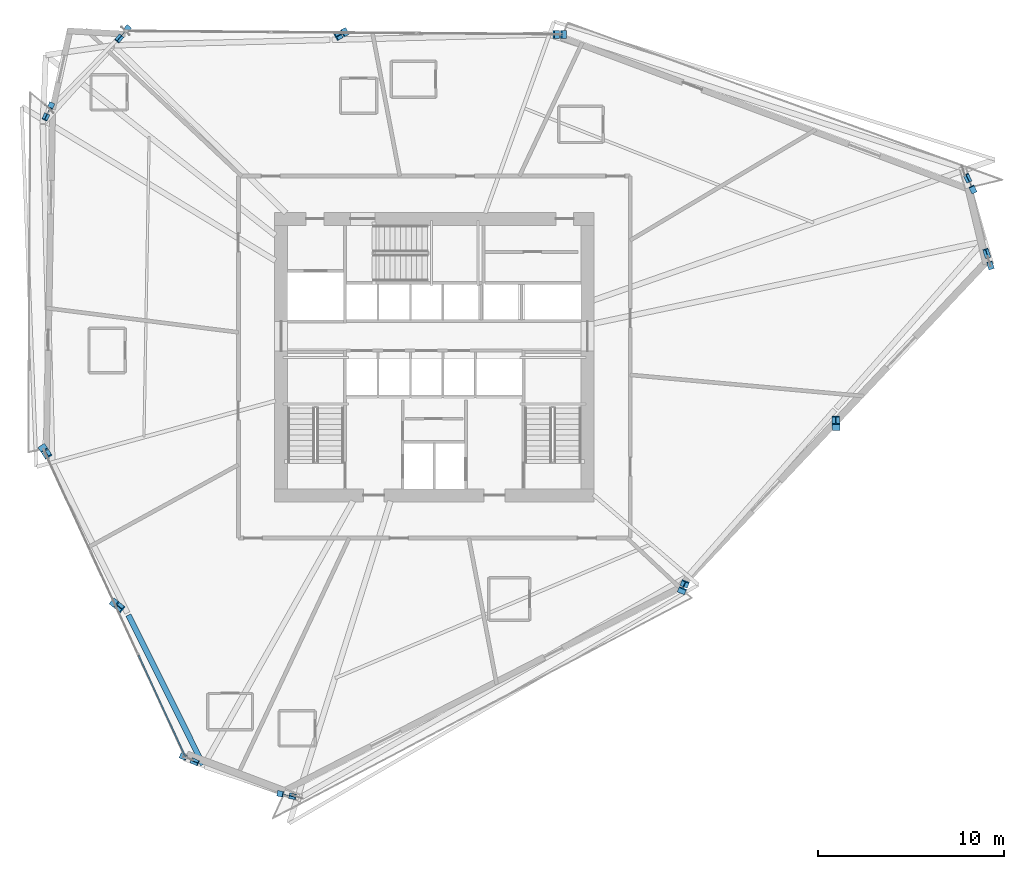
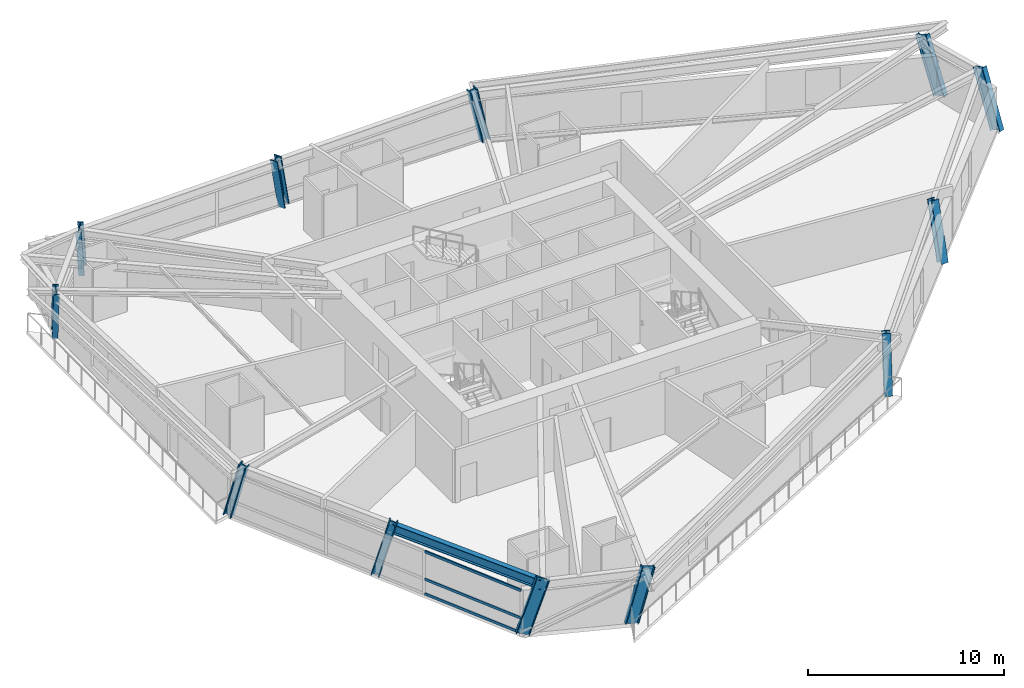
# One storey, part 1 of 22: 12 columns, 3 members, 1 beam, 1 element without a shape of its own.
"""IFC4 building model written with IfcOpenShell, lengths in metres."""

import ifcopenshell
import ifcopenshell.guid

model = None  # the IFC model being written
_history = None  # IfcOwnerHistory: only IFC2X3 demands one
_inside = {}  # id of a spatial element -> (the spatial element, [elements in it])
_under = {}  # id of a project, library or spatial element -> (it, [spatial elements below it])
_declared = {}  # id of a project -> (the project, [libraries it declares])
_typed = {}  # id of a type object -> (the type object, [elements of that type])
_made_of = {}  # id of a material, layer set ... -> (it, [elements and type objects made of it])


def new_model(schema):
    """Start an empty IFC model of exactly this schema.

    Asked for "IFC4X3", IfcOpenShell would pick the latest addendum, in which some entities
    have other attributes; the version numbers below select the first issue.
    IFC2X3 requires an IfcOwnerHistory on every rooted entity: one is made here for all.
    """
    global model, _history
    if schema == "IFC4X3":
        model = ifcopenshell.file(schema_version=(4, 3, 0, 0))
    else:
        model = ifcopenshell.file(schema=schema)
    _inside.clear()
    _under.clear()
    _declared.clear()
    _typed.clear()
    _made_of.clear()
    _history = None
    if model.schema == "IFC2X3":
        org = make("IfcOrganization", Name="unknown")
        user = make(
            "IfcPersonAndOrganization",
            ThePerson=make("IfcPerson", FamilyName="unknown"),
            TheOrganization=org,
        )
        app = make(
            "IfcApplication",
            ApplicationDeveloper=org,
            Version="unknown",
            ApplicationFullName="unknown",
            ApplicationIdentifier="unknown",
        )
        _history = make(
            "IfcOwnerHistory",
            OwningUser=user,
            OwningApplication=app,
            ChangeAction="ADDED",
            CreationDate=0,
        )
    return model


def make(cls, **values):
    """One entity of the class cls with the attributes given. An attribute that is None is left unset."""
    return model.create_entity(
        cls, **{name: value for name, value in values.items() if value is not None}
    )


def rooted(cls, **values):
    """An entity with a GlobalId (a new one), such as an element, a storey or a relation."""
    return make(cls, GlobalId=ifcopenshell.guid.new(), OwnerHistory=_history, **values)


def si_unit(unit_type, name, prefix=None):
    """IfcSIUnit, for example si_unit("LENGTHUNIT", "METRE", prefix="MILLI")."""
    return make("IfcSIUnit", UnitType=unit_type, Prefix=prefix, Name=name)


def assignment(units):
    """IfcUnitAssignment: the units of a project."""
    return None if units is None else make("IfcUnitAssignment", Units=units)


def point(xyz):
    """IfcCartesianPoint."""
    return None if xyz is None else make("IfcCartesianPoint", Coordinates=xyz)


def direction(xyz):
    """IfcDirection."""
    return None if xyz is None else make("IfcDirection", DirectionRatios=xyz)


def frame(location, z_axis=None, x_axis=None):
    """IfcAxis2Placement3D, a coordinate frame: its origin and axes. An axis left out is left unset."""
    return make(
        "IfcAxis2Placement3D",
        Location=point(location),
        Axis=direction(z_axis),
        RefDirection=direction(x_axis),
    )


def frame_2d(location, x_axis=None):
    """IfcAxis2Placement2D, a coordinate frame in the plane: its origin and x axis."""
    return make(
        "IfcAxis2Placement2D", Location=point(location), RefDirection=direction(x_axis)
    )


def origin():
    """The frame at (0, 0, 0) with its axes left unset."""
    return frame((0.0, 0.0, 0.0))


def origin_2d():
    """The frame at (0, 0) in the plane with its x axis left unset."""
    return frame_2d((0.0, 0.0))


def place(relative_to, where):
    """IfcLocalPlacement: puts the frame where relative to a parent placement (None: the world)."""
    return make(
        "IfcLocalPlacement", PlacementRelTo=relative_to, RelativePlacement=where
    )


def context(
    kind, dimensions, precision=None, world=None, true_north=None, identifier=None
):
    """IfcGeometricRepresentationContext, for example the 3D "Model" context."""
    return make(
        "IfcGeometricRepresentationContext",
        ContextIdentifier=identifier,
        ContextType=kind,
        CoordinateSpaceDimension=dimensions,
        Precision=precision,
        WorldCoordinateSystem=world,
        TrueNorth=true_north,
    )


def subcontext(parent, identifier, kind, view, scale=None):
    """IfcGeometricRepresentationSubContext, for example "Body" below "Model"."""
    return make(
        "IfcGeometricRepresentationSubContext",
        ContextIdentifier=identifier,
        ContextType=kind,
        ParentContext=parent,
        TargetScale=scale,
        TargetView=view,
    )


def project(units=None, contexts=None):
    """IfcProject with its units and contexts."""
    return rooted(
        "IfcProject",
        Name="project",
        RepresentationContexts=contexts,
        UnitsInContext=assignment(units),
    )


def spatial(cls, under=None, at=None, **own):
    """A site, building, storey or space (cls), placed at a placement, below another one or the project."""
    s = rooted(cls, ObjectPlacement=at, **own)
    if under is not None:
        _under.setdefault(under.id(), (under, []))[1].append(s)
    return s


def profile(cls, at=None, kind="AREA", **sizes):
    """A parametric profile (cls). Its sizes go by their IFC names, for example OverallWidth=200.0."""
    return make(cls, ProfileType=kind, Position=at, **sizes)


def hollow_rectangle(**sizes):
    """IfcRectangleHollowProfileDef."""
    return profile("IfcRectangleHollowProfileDef", **sizes)


def i_section(**sizes):
    """IfcIShapeProfileDef."""
    return profile("IfcIShapeProfileDef", **sizes)


def extrude(swept, where, along, depth):
    """IfcExtrudedAreaSolid: the profile swept, set in the frame where, extruded along a direction by depth."""
    return make(
        "IfcExtrudedAreaSolid",
        SweptArea=swept,
        Position=where,
        ExtrudedDirection=direction(along),
        Depth=depth,
    )


def shape(context_of_items, identifier, shape_type, items):
    """IfcShapeRepresentation: the items that make up one representation, for example the "Body"."""
    return make(
        "IfcShapeRepresentation",
        ContextOfItems=context_of_items,
        RepresentationIdentifier=identifier,
        RepresentationType=shape_type,
        Items=items,
    )


def source(mapping_origin, context_of_items, identifier, shape_type, items):
    """IfcRepresentationMap: a shape defined once, which mapped items show again and again."""
    return make(
        "IfcRepresentationMap",
        MappingOrigin=mapping_origin,
        MappedRepresentation=shape(context_of_items, identifier, shape_type, items),
    )


def transform(
    local_origin,
    x_axis=None,
    y_axis=None,
    z_axis=None,
    scale=None,
    scale2=None,
    scale3=None,
    uniform=True,
):
    """IfcCartesianTransformationOperator3D, or its non-uniform kind. x_axis, y_axis, z_axis: its Axis1, 2, 3."""
    if uniform:
        return make(
            "IfcCartesianTransformationOperator3D",
            Axis1=direction(x_axis),
            Axis2=direction(y_axis),
            LocalOrigin=point(local_origin),
            Scale=scale,
            Axis3=direction(z_axis),
        )
    return make(
        "IfcCartesianTransformationOperator3DnonUniform",
        Axis1=direction(x_axis),
        Axis2=direction(y_axis),
        LocalOrigin=point(local_origin),
        Scale=scale,
        Axis3=direction(z_axis),
        Scale2=scale2,
        Scale3=scale3,
    )


def mapped(mapping_source, mapping_target):
    """IfcMappedItem: shows the shape of a source again, moved by a transform."""
    return make(
        "IfcMappedItem", MappingSource=mapping_source, MappingTarget=mapping_target
    )


def material(Name=None, Category=None):
    """IfcMaterial."""
    return make("IfcMaterial", Name=Name, Category=Category)


def material_profile(
    of_material, cross_section, Name=None, Category=None, Priority=None
):
    """IfcMaterialProfile: a cross section and its material."""
    return make(
        "IfcMaterialProfile",
        Name=Name,
        Material=of_material,
        Profile=cross_section,
        Priority=Priority,
        Category=Category,
    )


def profile_set(profiles, Name=None, composite=None):
    """IfcMaterialProfileSet."""
    return make(
        "IfcMaterialProfileSet",
        Name=Name,
        MaterialProfiles=profiles,
        CompositeProfile=composite,
    )


def made_of(thing, what):
    """Note that an element or type object is made of a material, layer set ...; save() writes the relation."""
    if what is not None:
        _made_of.setdefault(what.id(), (what, []))[1].append(thing)
    return thing


def type_object(cls, material=None, **own):
    """A type object (cls), such as IfcWallType, which elements share."""
    return made_of(rooted(cls, **own), material)


def element(
    cls,
    number,
    at=None,
    inside=None,
    cuts=None,
    type_object=None,
    material=None,
    context=None,
    identifier="Body",
    shape_type=None,
    held_by="IfcProductDefinitionShape",
    body=None,
    shapes=None,
    **own,
):
    """One element of the class cls, such as IfcWall. Its Tag is "e" and its number.

    at: its placement. inside: the storey or other place that contains it. cuts: it is an
    opening in that element (IfcRelVoidsElement). A single representation is given by context,
    identifier, shape_type and body (its items); several are given by shapes. held_by: the class
    of the entity that holds the representations. save() writes the other relations.
    """
    e = rooted(cls, Tag="e%d" % number, ObjectPlacement=at, **own)
    if body is not None:
        shapes = [shape(context, identifier, shape_type, body)]
    if shapes is not None:
        e.Representation = make(held_by, Representations=shapes)
    if inside is not None:
        _inside.setdefault(inside.id(), (inside, []))[1].append(e)
    if cuts is not None:
        rooted(
            "IfcRelVoidsElement", RelatingBuildingElement=cuts, RelatedOpeningElement=e
        )
    if type_object is not None:
        _typed.setdefault(type_object.id(), (type_object, []))[1].append(e)
    return made_of(e, material)


def aggregate(whole, parts):
    """IfcRelAggregates: a whole, such as a stair, and the parts it consists of."""
    return rooted("IfcRelAggregates", RelatingObject=whole, RelatedObjects=parts)


def save(model, path):
    """Write the relations noted so far, then the file.

    IfcRelAggregates (storeys below a building ...), IfcRelContainedInSpatialStructure (elements
    in a storey), IfcRelDefinesByType, IfcRelAssociatesMaterial and IfcRelDeclares: one each for
    every whole, place, type object, material and project.
    """
    for whole, parts in _under.values():
        aggregate(whole, parts)
    for where, things in _inside.values():
        rooted(
            "IfcRelContainedInSpatialStructure",
            RelatedElements=things,
            RelatingStructure=where,
        )
    for kind, things in _typed.values():
        rooted("IfcRelDefinesByType", RelatedObjects=things, RelatingType=kind)
    for what, things in _made_of.values():
        rooted("IfcRelAssociatesMaterial", RelatedObjects=things, RelatingMaterial=what)
    for by, libraries in _declared.values():
        rooted("IfcRelDeclares", RelatingContext=by, RelatedDefinitions=libraries)
    model.write(path)


model = new_model("IFC4")

# Units and contexts
model_context = context("Model", 3, precision=1e-05, world=origin(), true_north=direction((0.0, 1.0)))
body_context = subcontext(model_context, "Body", "Model", "MODEL_VIEW")
ifc_project = project(units=[si_unit("LENGTHUNIT", "METRE"), si_unit("AREAUNIT", "SQUARE_METRE"), si_unit("VOLUMEUNIT", "CUBIC_METRE"), si_unit("PLANEANGLEUNIT", "RADIAN"), si_unit("MASSUNIT", "GRAM", prefix="KILO")], contexts=[model_context])

# Site, building, storey
site_placement = place(None, origin())
site = spatial("IfcSite", under=ifc_project, at=site_placement, CompositionType="ELEMENT")
building_placement = place(site_placement, origin())
building = spatial("IfcBuilding", under=site, at=building_placement, Name="Olszyna Solenne Hotel", CompositionType="ELEMENT")
storey_placement = place(building_placement, frame((0.0, 0.0, 95.050048828125)))
storey = spatial("IfcBuildingStorey", under=building, at=storey_placement, Name="L24", CompositionType="ELEMENT", Elevation=95.050048828125)

# Columns
ifc_material_1 = material(Name="Steel S460M", Category="steel")
ifc_material_profile_1 = material_profile(ifc_material_1, i_section(OverallWidth=0.303955078125, OverallDepth=0.716064453125, WebThickness=0.02099609375, FlangeThickness=0.0400390625, at=origin_2d()), Name="HEM 700", Category="load-bearing")
ifc_profile_set_1 = profile_set([ifc_material_profile_1], Name="Steel S460M")
column_type_1 = type_object("IfcColumnType", Name="COL-K2", PredefinedType="COLUMN", material=ifc_profile_set_1)
shared_shape_1 = source(origin(), body_context, "Body", "SweptSolid", [
    extrude(i_section(OverallWidth=0.303955078125, OverallDepth=0.716064453125, WebThickness=0.02099609375, FlangeThickness=0.0400390625, at=origin_2d()), origin(), (0.0, 0.0, 1.0), 3.597412109375),
])
column_1_placement = place(storey_placement, frame((67.91943359375, 31.653076171875, 0.0), z_axis=(-0.099696735978, 0.323454488545, 0.940977021332), x_axis=(-0.955635828254, -0.294550782985, 0.0)))
element("IfcColumn", 1, at=column_1_placement, inside=storey, type_object=column_type_1, Name="Perimeter framed-tube column COL-K2 C-L24-01", PredefinedType="COLUMN", context=body_context, shape_type="MappedRepresentation", body=[
    mapped(shared_shape_1, transform((0.0, 0.0, 0.0), x_axis=(1.0, 0.0, 0.0), y_axis=(0.0, 1.0, 0.0), z_axis=(0.0, 0.0, 1.0), scale=1.0)),
])
shared_shape_2 = source(origin(), body_context, "Body", "SweptSolid", [
    extrude(i_section(OverallWidth=0.303955078125, OverallDepth=0.716064453125, WebThickness=0.02099609375, FlangeThickness=0.0400390625, at=origin_2d()), origin(), (0.0, 0.0, 1.0), 3.56640625),
])
column_2_placement = place(storey_placement, frame((66.954345703125, 35.7509765625, 0.0), z_axis=(-0.135884769408, 0.284023127593, 0.949139711757), x_axis=(-0.902075342607, -0.431578586424, 0.0)))
element("IfcColumn", 2, at=column_2_placement, inside=storey, type_object=column_type_1, Name="Perimeter framed-tube column COL-K2 C-L24-02", PredefinedType="COLUMN", context=body_context, shape_type="MappedRepresentation", body=[
    mapped(shared_shape_2, transform((0.0, 0.0, 0.0), x_axis=(1.0, 0.0, 0.0), y_axis=(0.0, 1.0, 0.0), z_axis=(0.0, 0.0, 1.0), scale=1.0)),
])
ifc_material_profile_2 = material_profile(ifc_material_1, i_section(OverallWidth=0.41796875, OverallDepth=0.455078125, WebThickness=0.03759765625, FlangeThickness=0.05908203125, at=origin_2d()), Name="HD 400x551", Category="load-bearing")
ifc_profile_set_2 = profile_set([ifc_material_profile_2], Name="Steel S460M")
column_type_2 = type_object("IfcColumnType", Name="COL-T2", PredefinedType="COLUMN", material=ifc_profile_set_2)
shared_shape_3 = source(origin(), body_context, "Body", "SweptSolid", [
    extrude(i_section(OverallWidth=0.41796875, OverallDepth=0.455078125, WebThickness=0.03759765625, FlangeThickness=0.05908203125, at=origin_2d()), origin(), (0.0, 0.0, 1.0), 3.464111328125),
])
column_3_placement = place(storey_placement, frame((44.896240234375, 43.98046875, 0.0), z_axis=(-0.212555455601, 7.0475947e-05, 0.977149002623), x_axis=(-0.000331564969, -0.999999945032, 0.0)))
element("IfcColumn", 3, at=column_3_placement, inside=storey, type_object=column_type_2, Name="Perimeter framed-tube column COL-T2 C-L24-03", PredefinedType="COLUMN", context=body_context, shape_type="MappedRepresentation", body=[
    mapped(shared_shape_3, transform((0.0, 0.0, 0.0), x_axis=(1.0, 0.0, 0.0), y_axis=(0.0, 1.0, 0.0), z_axis=(0.0, 0.0, 1.0), scale=1.0)),
])
shared_shape_4 = source(origin(), body_context, "Body", "SweptSolid", [
    extrude(i_section(OverallWidth=0.41796875, OverallDepth=0.455078125, WebThickness=0.03759765625, FlangeThickness=0.05908203125, at=origin_2d()), origin(), (0.0, 0.0, 1.0), 3.474853515625),
])
column_4_placement = place(storey_placement, frame((33.125, 44.069580078125, 0.0), z_axis=(-0.197223375333, -0.109958882222, 0.974172461345), x_axis=(0.486963333357, -0.873422413249, 0.0)))
element("IfcColumn", 4, at=column_4_placement, inside=storey, type_object=column_type_2, Name="Perimeter framed-tube column COL-T2 C-L24-04", PredefinedType="COLUMN", context=body_context, shape_type="MappedRepresentation", body=[
    mapped(shared_shape_4, transform((0.0, 0.0, 0.0), x_axis=(1.0, 0.0, 0.0), y_axis=(0.0, 1.0, 0.0), z_axis=(0.0, 0.0, 1.0), scale=1.0)),
])
shared_shape_5 = source(origin(), body_context, "Body", "SweptSolid", [
    extrude(i_section(OverallWidth=0.303955078125, OverallDepth=0.716064453125, WebThickness=0.02099609375, FlangeThickness=0.0400390625, at=origin_2d()), origin(), (0.0, 0.0, 1.0), 3.527587890625),
])
column_5_placement = place(storey_placement, frame((21.353759765625, 44.15869140625, 0.0), z_axis=(-0.179800039019, -0.21661821483, 0.959556405311), x_axis=(0.769469151237, -0.638683979206, 0.0)))
element("IfcColumn", 5, at=column_5_placement, inside=storey, type_object=column_type_1, Name="Perimeter framed-tube column COL-K2 C-L24-05", PredefinedType="COLUMN", context=body_context, shape_type="MappedRepresentation", body=[
    mapped(shared_shape_5, transform((0.0, 0.0, 0.0), x_axis=(1.0, 0.0, 0.0), y_axis=(0.0, 1.0, 0.0), z_axis=(0.0, 0.0, 1.0), scale=1.0)),
])
shared_shape_6 = source(origin(), body_context, "Body", "SweptSolid", [
    extrude(i_section(OverallWidth=0.303955078125, OverallDepth=0.716064453125, WebThickness=0.02099609375, FlangeThickness=0.0400390625, at=origin_2d()), origin(), (0.0, 0.0, 1.0), 3.4970703125),
])
column_6_placement = place(storey_placement, frame((17.278564453125, 39.982421875, 0.0), z_axis=(-0.104159227232, -0.228563880668, 0.967940808023), x_axis=(0.909966279987, -0.41468225099, 0.0)))
element("IfcColumn", 6, at=column_6_placement, inside=storey, type_object=column_type_1, Name="Perimeter framed-tube column COL-K2 C-L24-06", PredefinedType="COLUMN", context=body_context, shape_type="MappedRepresentation", body=[
    mapped(shared_shape_6, transform((0.0, 0.0, 0.0), x_axis=(1.0, 0.0, 0.0), y_axis=(0.0, 1.0, 0.0), z_axis=(0.0, 0.0, 1.0), scale=1.0)),
])
shared_shape_7 = source(origin(), body_context, "Body", "SweptSolid", [
    extrude(i_section(OverallWidth=0.41796875, OverallDepth=0.455078125, WebThickness=0.03759765625, FlangeThickness=0.05908203125, at=origin_2d()), origin(), (0.0, 0.0, 1.0), 3.496337890625),
])
column_7_placement = place(storey_placement, frame((16.941162109375, 21.65869140625, 0.0), z_axis=(0.136934213874, -0.209486303734, 0.968175867092), x_axis=(0.837038420878, 0.547144114447, 0.0)))
element("IfcColumn", 7, at=column_7_placement, inside=storey, type_object=column_type_2, Name="Perimeter framed-tube column COL-T2 C-L24-07", PredefinedType="COLUMN", context=body_context, shape_type="MappedRepresentation", body=[
    mapped(shared_shape_7, transform((0.0, 0.0, 0.0), x_axis=(1.0, 0.0, 0.0), y_axis=(0.0, 1.0, 0.0), z_axis=(0.0, 0.0, 1.0), scale=1.0)),
])
shared_shape_8 = source(origin(), body_context, "Body", "SweptSolid", [
    extrude(i_section(OverallWidth=0.41796875, OverallDepth=0.455078125, WebThickness=0.03759765625, FlangeThickness=0.05908203125, at=origin_2d()), origin(), (0.0, 0.0, 1.0), 3.509033203125),
])
column_8_placement = place(storey_placement, frame((20.778564453125, 13.33740234375, 0.0), z_axis=(0.204689999559, -0.165936658378, 0.964659022394), x_axis=(0.629737371555, 0.776808111998, 0.0)))
element("IfcColumn", 8, at=column_8_placement, inside=storey, type_object=column_type_2, Name="Perimeter framed-tube column COL-T2 C-L24-08", PredefinedType="COLUMN", context=body_context, shape_type="MappedRepresentation", body=[
    mapped(shared_shape_8, transform((0.0, 0.0, 0.0), x_axis=(1.0, 0.0, 0.0), y_axis=(0.0, 1.0, 0.0), z_axis=(0.0, 0.0, 1.0), scale=1.0)),
])
shared_shape_9 = source(origin(), body_context, "Body", "SweptSolid", [
    extrude(i_section(OverallWidth=0.303955078125, OverallDepth=0.716064453125, WebThickness=0.02099609375, FlangeThickness=0.0400390625, at=origin_2d()), origin(), (0.0, 0.0, 1.0), 3.54443359375),
])
column_9_placement = place(storey_placement, frame((24.6162109375, 5.016357421875, 0.0), z_axis=(0.270218966562, -0.122056591575, 0.955030836446), x_axis=(0.411648964628, 0.911342487718, 0.0)))
element("IfcColumn", 9, at=column_9_placement, inside=storey, type_object=column_type_1, Name="Perimeter framed-tube column COL-K2 C-L24-09", PredefinedType="COLUMN", context=body_context, shape_type="MappedRepresentation", body=[
    mapped(shared_shape_9, transform((0.0, 0.0, 0.0), x_axis=(1.0, 0.0, 0.0), y_axis=(0.0, 1.0, 0.0), z_axis=(0.0, 0.0, 1.0), scale=1.0)),
])
shared_shape_10 = source(origin(), body_context, "Body", "SweptSolid", [
    extrude(i_section(OverallWidth=0.303955078125, OverallDepth=0.716064453125, WebThickness=0.02099609375, FlangeThickness=0.0400390625, at=origin_2d()), origin(), (0.0, 0.0, 1.0), 3.503173828125),
])
column_10_placement = place(storey_placement, frame((29.87744140625, 3.038818359375, 0.0), z_axis=(0.25241508532, -0.051570172042, 0.966243831576), x_axis=(0.200171996635, 0.979760772721, 0.0)))
element("IfcColumn", 10, at=column_10_placement, inside=storey, type_object=column_type_1, Name="Perimeter framed-tube column COL-K2 C-L24-10", PredefinedType="COLUMN", context=body_context, shape_type="MappedRepresentation", body=[
    mapped(shared_shape_10, transform((0.0, 0.0, 0.0), x_axis=(1.0, 0.0, 0.0), y_axis=(0.0, 1.0, 0.0), z_axis=(0.0, 0.0, 1.0), scale=1.0)),
])
shared_shape_11 = source(origin(), body_context, "Body", "SweptSolid", [
    extrude(i_section(OverallWidth=0.41796875, OverallDepth=0.455078125, WebThickness=0.03759765625, FlangeThickness=0.05908203125, at=origin_2d()), origin(), (0.0, 0.0, 1.0), 3.469970703125),
])
column_11_placement = place(storey_placement, frame((51.359130859375, 14.074462890625, 0.0), z_axis=(0.083866504635, 0.203334059058, 0.975510978835), x_axis=(-0.924452695852, 0.381296752061, 0.0)))
element("IfcColumn", 11, at=column_11_placement, inside=storey, type_object=column_type_2, Name="Perimeter framed-tube column COL-T2 C-L24-11", PredefinedType="COLUMN", context=body_context, shape_type="MappedRepresentation", body=[
    mapped(shared_shape_11, transform((0.0, 0.0, 0.0), x_axis=(1.0, 0.0, 0.0), y_axis=(0.0, 1.0, 0.0), z_axis=(0.0, 0.0, 1.0), scale=1.0)),
])
shared_shape_12 = source(origin(), body_context, "Body", "SweptSolid", [
    extrude(i_section(OverallWidth=0.41796875, OverallDepth=0.455078125, WebThickness=0.03759765625, FlangeThickness=0.05908203125, at=origin_2d()), origin(), (0.0, 0.0, 1.0), 3.51171875),
])
column_12_placement = place(storey_placement, frame((59.639404296875, 22.86376953125, 0.0), z_axis=(-0.009663242403, 0.266121524605, 0.963891049802), x_axis=(-0.999341392704, -0.036287474813, 0.0)))
element("IfcColumn", 12, at=column_12_placement, inside=storey, type_object=column_type_2, Name="Perimeter framed-tube column COL-T2 C-L24-12", PredefinedType="COLUMN", context=body_context, shape_type="MappedRepresentation", body=[
    mapped(shared_shape_12, transform((0.0, 0.0, 0.0), x_axis=(1.0, 0.0, 0.0), y_axis=(0.0, 1.0, 0.0), z_axis=(0.0, 0.0, 1.0), scale=1.0)),
])

# Beam
ifc_material_2 = material(Name="Steel S355J2", Category="steel")
ifc_material_profile_3 = material_profile(ifc_material_2, i_section(OverallWidth=0.300048828125, OverallDepth=0.60009765625, WebThickness=0.015380859375, FlangeThickness=0.030029296875, at=origin_2d()), Name="HEB 600", Category="load-bearing")
ifc_profile_set_3 = profile_set([ifc_material_profile_3], Name="Steel S355J2")
beam_type = type_object("IfcBeamType", Name="BM-S2", PredefinedType="BEAM", material=ifc_profile_set_3)
shared_shape_13 = source(origin(), body_context, "Body", "SweptSolid", [
    extrude(i_section(OverallWidth=0.300048828125, OverallDepth=0.60009765625, WebThickness=0.015380859375, FlangeThickness=0.030029296875, at=origin_2d()), origin(), (0.0, 0.0, 1.0), 9.011962890625),
])
beam_placement = place(storey_placement, frame((21.523681640625, 12.701416015625, 3.0), z_axis=(0.446454894806, -0.894806139286, 0.0), x_axis=(0.894806139286, 0.446454894806, 0.0)))
element("IfcBeam", 13, at=beam_placement, inside=storey, type_object=beam_type, Name="Perimeter spandrel beam BM-S2 B-L24-0727", PredefinedType="BEAM", context=body_context, shape_type="MappedRepresentation", body=[
    mapped(shared_shape_13, transform((0.0, 0.0, 0.0), x_axis=(1.0, 0.0, 0.0), y_axis=(0.0, 1.0, 0.0), z_axis=(0.0, 0.0, 1.0), scale=1.0)),
])

# Curtain wall, members
ifc_material_3 = material(Name="Anodised bronze aluminium", Category="aluminium")
curtain_wall_type = type_object("IfcCurtainWallType", Name="CW-SYS-3", PredefinedType="NOTDEFINED", material=ifc_material_3)
curtain_wall_placement = place(storey_placement, origin())
curtain_wall = element("IfcCurtainWall", 14, at=curtain_wall_placement, inside=storey, type_object=curtain_wall_type, Name="Unitised curtain wall CW-SYS-3 CW-L24-01", PredefinedType="NOTDEFINED")
ifc_material_profile_4 = material_profile(ifc_material_3, hollow_rectangle(XDim=0.074951171875, YDim=0.159912109375, WallThickness=0.00390625, at=origin_2d()), Name="TRAN 160x75x4", Category="load-bearing")
ifc_profile_set_4 = profile_set([ifc_material_profile_4], Name="Anodised bronze aluminium")
member_type = type_object("IfcMemberType", Name="CW-T1", PredefinedType="USERDEFINED", material=ifc_profile_set_4)
shared_shape_14 = source(origin(), body_context, "Body", "SweptSolid", [
    extrude(hollow_rectangle(XDim=0.074951171875, YDim=0.159912109375, WallThickness=0.00390625, at=origin_2d()), origin(), (0.0, 0.0, 1.0), 5.99658203125),
])
member_1_placement = place(storey_placement, frame((22.073486328125, 10.52978515625, 0.037353515625), z_axis=(0.418784480722, -0.90808565604, 0.0), x_axis=(0.90808565604, 0.418784480722, 0.0)))
member_1 = element("IfcMember", 15, at=member_1_placement, type_object=member_type, Name="Curtain-wall transom CW-T1 CT-L24-01-07", ObjectType="TRANSOM", PredefinedType="USERDEFINED", context=body_context, shape_type="MappedRepresentation", body=[
    mapped(shared_shape_14, transform((0.0, 0.0, 0.0), x_axis=(1.0, 0.0, 0.0), y_axis=(0.0, 1.0, 0.0), z_axis=(0.0, 0.0, 1.0), scale=1.0)),
])
member_2_placement = place(storey_placement, frame((22.073486328125, 10.52978515625, 0.949951171875), z_axis=(0.418784480722, -0.90808565604, 0.0), x_axis=(0.90808565604, 0.418784480722, 0.0)))
member_2 = element("IfcMember", 16, at=member_2_placement, type_object=member_type, Name="Curtain-wall transom CW-T1 CT-L24-01-08", ObjectType="TRANSOM", PredefinedType="USERDEFINED", context=body_context, shape_type="MappedRepresentation", body=[
    mapped(shared_shape_14, transform((0.0, 0.0, 0.0), x_axis=(1.0, 0.0, 0.0), y_axis=(0.0, 1.0, 0.0), z_axis=(0.0, 0.0, 1.0), scale=1.0)),
])
member_3_placement = place(storey_placement, frame((22.073486328125, 10.52978515625, 2.654541015625), z_axis=(0.418784480722, -0.90808565604, 0.0), x_axis=(0.90808565604, 0.418784480722, 0.0)))
member_3 = element("IfcMember", 17, at=member_3_placement, type_object=member_type, Name="Curtain-wall transom CW-T1 CT-L24-01-09", ObjectType="TRANSOM", PredefinedType="USERDEFINED", context=body_context, shape_type="MappedRepresentation", body=[
    mapped(shared_shape_14, transform((0.0, 0.0, 0.0), x_axis=(1.0, 0.0, 0.0), y_axis=(0.0, 1.0, 0.0), z_axis=(0.0, 0.0, 1.0), scale=1.0)),
])
aggregate(curtain_wall, [member_1, member_2, member_3])

save(model, "model.ifc")
